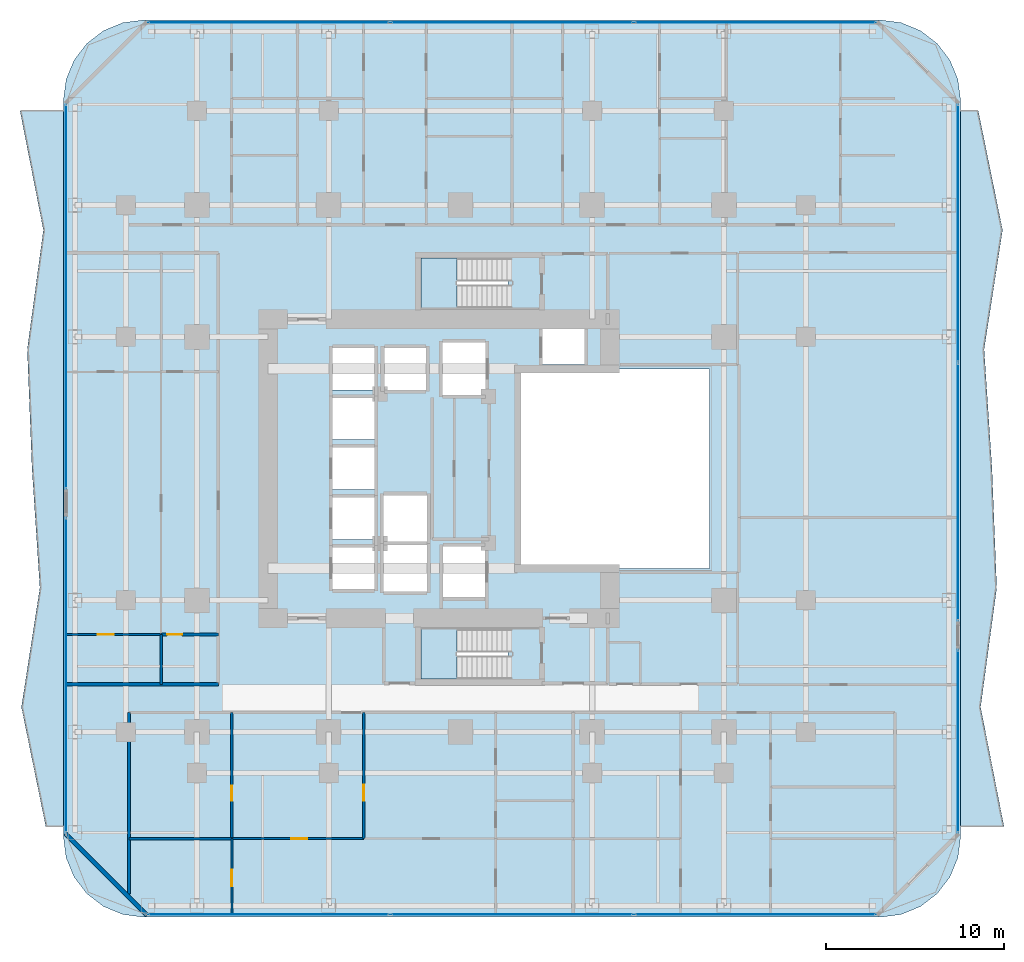
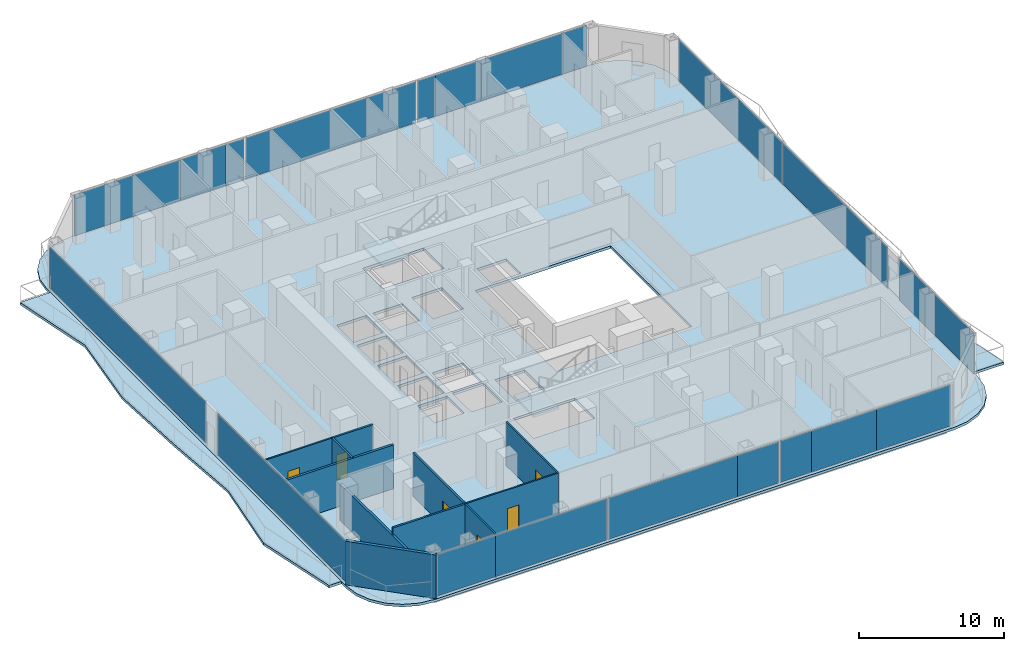
# One storey, part 19 of 27: 20 plates, 11 walls, 6 doors, 5 slabs, 6 openings, 8 elements without a shape of their own.
"""IFC4 building model written with IfcOpenShell, lengths in metres."""

from ifc_helpers import new_model, si_unit, direction, frame, frame_2d, origin, origin_2d, place, context, subcontext, project, spatial, polyline, rectangle, outline, extrude, material, layer, layer_set, type_object, element, fill, aggregate, save


model = new_model("IFC4")

# Units and contexts
model_context = context("Model", 3, precision=1e-05, world=origin(), true_north=direction((0.0, 1.0)))
body_context = subcontext(model_context, "Body", "Model", "MODEL_VIEW")
ifc_project = project(units=[si_unit("LENGTHUNIT", "METRE"), si_unit("AREAUNIT", "SQUARE_METRE"), si_unit("VOLUMEUNIT", "CUBIC_METRE"), si_unit("PLANEANGLEUNIT", "RADIAN"), si_unit("MASSUNIT", "GRAM", prefix="KILO")], contexts=[model_context])

# Site, building, storey
site_placement = place(None, origin())
site = spatial("IfcSite", under=ifc_project, at=site_placement, CompositionType="ELEMENT")
building_placement = place(site_placement, origin())
building = spatial("IfcBuilding", under=site, at=building_placement, Name="Khorvyn Point Tower", CompositionType="ELEMENT")
storey_placement = place(building_placement, frame((0.0, 0.0, 42.300048828125)))
storey = spatial("IfcBuildingStorey", under=building, at=storey_placement, Name="L11", CompositionType="ELEMENT", Elevation=42.300048828125)

# Slabs
ifc_material_1 = material(Name="Concrete C35/45", Category="concrete")
ifc_layer_1 = layer(ifc_material_1, 0.219970703125)
ifc_layer_set_1 = layer_set([ifc_layer_1], Name="Concrete C35/45 Structural Floor Slab 220")
slab_type_1 = type_object("IfcSlabType", Name="Concrete C35/45 Structural Floor Slab 220", PredefinedType="FLOOR", material=ifc_layer_set_1)
slab_1_placement = place(storey_placement, frame((0.0, 0.0, -0.219970703125)))
element("IfcSlab", 1, at=slab_1_placement, inside=storey, type_object=slab_type_1, Name="L11 Main Structural Floor Slab", PredefinedType="FLOOR", context=body_context, shape_type="SweptSolid", body=[
    extrude(outline(polyline([(-17.800048828125, -25.199951171875), (-18.964599609375, -25.046630859375), (-20.050048828125, -24.59716796875), (-20.98193359375, -23.882080078125), (-21.697021484375, -22.949951171875), (-22.146728515625, -21.86474609375), (-22.300048828125, -20.699951171875), (-22.300048828125, 20.699951171875), (-22.146728515625, 21.86474609375), (-21.697021484375, 22.949951171875), (-20.98193359375, 23.882080078125), (-20.050048828125, 24.59716796875), (-18.964599609375, 25.046630859375), (-17.800048828125, 25.199951171875), (23.60009765625, 25.199951171875), (24.7646484375, 25.046630859375), (25.85009765625, 24.59716796875), (26.781982421875, 23.882080078125), (27.4970703125, 22.949951171875), (27.94677734375, 21.86474609375), (28.10009765625, 20.699951171875), (28.10009765625, -20.699951171875), (27.94677734375, -21.86474609375), (27.4970703125, -22.949951171875), (26.781982421875, -23.882080078125), (25.85009765625, -24.59716796875), (24.7646484375, -25.046630859375), (23.60009765625, -25.199951171875), (-17.800048828125, -25.199951171875)]), holes=[polyline([(-4.824951171875, -6.77490234375), (-4.824951171875, -4.425048828125), (-7.175048828125, -4.425048828125), (-7.175048828125, -6.77490234375), (-4.824951171875, -6.77490234375)]), polyline([(-4.324951171875, -6.89990234375), (-1.875, -6.89990234375), (-1.875, -4.300048828125), (-4.324951171875, -4.300048828125), (-4.324951171875, -6.89990234375)]), polyline([(-7.175048828125, -3.97509765625), (-4.824951171875, -3.97509765625), (-4.824951171875, -1.625), (-7.175048828125, -1.625), (-7.175048828125, -3.97509765625)]), polyline([(-7.175048828125, -1.175048828125), (-4.824951171875, -1.175048828125), (-4.824951171875, 1.175048828125), (-7.175048828125, 1.175048828125), (-7.175048828125, -1.175048828125)]), polyline([(-7.175048828125, 1.625), (-4.824951171875, 1.625), (-4.824951171875, 3.97509765625), (-7.175048828125, 3.97509765625), (-7.175048828125, 1.625)]), polyline([(-7.175048828125, 4.425048828125), (-4.824951171875, 4.425048828125), (-4.824951171875, 6.77490234375), (-7.175048828125, 6.77490234375), (-7.175048828125, 4.425048828125)]), polyline([(-4.27490234375, 4.425048828125), (-1.925048828125, 4.425048828125), (-1.925048828125, 6.77490234375), (-4.27490234375, 6.77490234375), (-4.27490234375, 4.425048828125)]), polyline([(2.679931640625, -11.820068359375), (2.679931640625, -9.02001953125), (-2.199951171875, -9.02001953125), (-2.199951171875, -11.820068359375), (2.679931640625, -11.820068359375)]), polyline([(-0.97509765625, -7.22509765625), (1.375, -7.22509765625), (1.375, -4.375), (-0.97509765625, -4.375), (-0.97509765625, -7.22509765625)]), polyline([(-4.324951171875, -4.10009765625), (-1.875, -4.10009765625), (-1.875, -1.5), (-4.324951171875, -1.5), (-4.324951171875, -4.10009765625)]), polyline([(3.199951171875, -5.60009765625), (14.0, -5.60009765625), (14.0, 5.60009765625), (3.199951171875, 5.60009765625), (3.199951171875, -5.60009765625)]), polyline([(-1.0, 4.125), (1.39990234375, 4.125), (1.39990234375, 7.074951171875), (-1.0, 7.074951171875), (-1.0, 4.125)]), polyline([(4.625, 5.85009765625), (6.97509765625, 5.85009765625), (6.97509765625, 7.830078125), (4.625, 7.830078125), (4.625, 5.85009765625)]), polyline([(-2.199951171875, 9.02001953125), (2.679931640625, 9.02001953125), (2.679931640625, 11.820068359375), (-2.199951171875, 11.820068359375), (-2.199951171875, 9.02001953125)])]), origin(), (0.0, 0.0, 1.0), 0.219970703125),
])
ifc_material_2 = material(Name="Concrete C40/50", Category="concrete")
ifc_layer_2 = layer(ifc_material_2, 0.2099609375)
ifc_layer_set_2 = layer_set([ifc_layer_2], Name="Concrete C40/50 Rippling Balcony Slab 210")
slab_type_2 = type_object("IfcSlabType", Name="Concrete C40/50 Rippling Balcony Slab 210", PredefinedType="USERDEFINED", material=ifc_layer_set_2)
slab_2_placement = place(storey_placement, frame((0.0, 0.0, -0.2099609375)))
element("IfcSlab", 2, at=slab_2_placement, inside=storey, type_object=slab_type_2, Name="L11 East Sinusoidal Rippling Balcony", ObjectType="BALCONY", PredefinedType="USERDEFINED", context=body_context, shape_type="SweptSolid", body=[
    extrude(outline(polyline([(28.10009765625, -20.10009765625), (30.53857421875, -20.10009765625), (29.225341796875, -13.39990234375), (30.129638671875, -6.699951171875), (29.864990234375, 0.0), (29.422607421875, 6.699951171875), (30.458984375, 13.39990234375), (29.0927734375, 20.10009765625), (28.10009765625, 20.10009765625), (28.10009765625, -20.10009765625)])), origin(), (0.0, 0.0, 1.0), 0.2099609375),
])
slab_3_placement = place(storey_placement, frame((0.0, 0.0, -0.2099609375)))
element("IfcSlab", 3, at=slab_3_placement, inside=storey, type_object=slab_type_2, Name="L11 West Sinusoidal Rippling Balcony", ObjectType="BALCONY", PredefinedType="USERDEFINED", context=body_context, shape_type="SweptSolid", body=[
    extrude(outline(polyline([(-22.300048828125, 20.10009765625), (-24.738525390625, 20.10009765625), (-23.42529296875, 13.39990234375), (-24.32958984375, 6.699951171875), (-24.06494140625, 0.0), (-23.62255859375, -6.699951171875), (-24.6591796875, -13.39990234375), (-23.292724609375, -20.10009765625), (-22.300048828125, -20.10009765625), (-22.300048828125, 20.10009765625)])), origin(), (0.0, 0.0, 1.0), 0.2099609375),
])

# Stair, slab
stair_type = type_object("IfcStairType", Name="Tower Concrete C40/50 Dogleg Exit Stair", PredefinedType="HALF_TURN_STAIR", material=ifc_material_2)
stair_1_placement = place(storey_placement, origin())
stair_1 = element("IfcStair", 4, at=stair_1_placement, inside=storey, type_object=stair_type, Name="L11 Tower Smokeproof Exit Stair South", PredefinedType="HALF_TURN_STAIR")
ifc_layer_3 = layer(ifc_material_2, 0.199951171875)
ifc_layer_set_3 = layer_set([ifc_layer_3], Name="Concrete C40/50 Stair Landing Slab 200")
slab_type_3 = type_object("IfcSlabType", Name="Concrete C40/50 Stair Landing Slab 200", PredefinedType="LANDING", material=ifc_layer_set_3)
slab_4_placement = place(storey_placement, frame((0.0, 0.0, 1.75)))
slab_4 = element("IfcSlab", 5, at=slab_4_placement, type_object=slab_type_3, Name="ST-01 landing 1", PredefinedType="LANDING", context=body_context, shape_type="SweptSolid", body=[
    extrude(outline(polyline([(-0.179931640625, -9.02001953125), (-2.199951171875, -9.02001953125), (-2.199951171875, -11.820068359375), (-0.179931640625, -11.820068359375), (-0.179931640625, -9.02001953125)])), origin(), (0.0, 0.0, 1.0), 0.199951171875),
])
aggregate(stair_1, [slab_4])

stair_2_placement = place(storey_placement, origin())
stair_2 = element("IfcStair", 6, at=stair_2_placement, inside=storey, type_object=stair_type, Name="L11 Tower Smokeproof Exit Stair North", PredefinedType="HALF_TURN_STAIR")
slab_5_placement = place(storey_placement, frame((0.0, 0.0, 1.75)))
slab_5 = element("IfcSlab", 7, at=slab_5_placement, type_object=slab_type_3, Name="ST-02 landing 1", PredefinedType="LANDING", context=body_context, shape_type="SweptSolid", body=[
    extrude(outline(polyline([(-0.179931640625, 11.820068359375), (-2.199951171875, 11.820068359375), (-2.199951171875, 9.02001953125), (-0.179931640625, 9.02001953125), (-0.179931640625, 11.820068359375)])), origin(), (0.0, 0.0, 1.0), 0.199951171875),
])
aggregate(stair_2, [slab_5])

# Curtain wall, plates
ifc_material_3 = material(Name="Anodised aluminium 6063-T6 and laminated Low-E glass", Category="aluminium")
ifc_layer_4 = layer(ifc_material_3, 0.18994140625)
ifc_layer_set_4 = layer_set([ifc_layer_4], Name="Stick-Built Finned Residential Curtain Wall CW-SYS-02")
curtain_wall_type = type_object("IfcCurtainWallType", Name="Stick-Built Finned Residential Curtain Wall CW-SYS-02", PredefinedType="NOTDEFINED", material=ifc_layer_set_4)
curtain_wall_1_placement = place(storey_placement, origin())
curtain_wall_1 = element("IfcCurtainWall", 8, at=curtain_wall_1_placement, inside=storey, type_object=curtain_wall_type, Name="Curtain Wall", PredefinedType="NOTDEFINED")
ifc_material_4 = material(Name="Laminated Low-E insulated glass", Category="glass")
ifc_layer_5 = layer(ifc_material_4, 0.028076171875)
ifc_layer_set_5 = layer_set([ifc_layer_5], Name="Tempered Low-E Vision Glazing Panel CW-GL28")
plate_type = type_object("IfcPlateType", Name="Tempered Low-E Vision Glazing Panel CW-GL28", PredefinedType="CURTAIN_PANEL", material=ifc_layer_set_5)
plate_1_placement = place(storey_placement, frame((11.0576171875, -25.050048828125, 0.099853515625), z_axis=(0.0, 0.0, 1.0), x_axis=(-1.0, 0.0, 0.0)))
plate_1 = element("IfcPlate", 9, at=plate_1_placement, type_object=plate_type, Name="Panel", PredefinedType="CURTAIN_PANEL", context=body_context, shape_type="SweptSolid", body=[
    extrude(rectangle(XDim=2.507080078125, YDim=0.028076171875, at=origin_2d()), origin(), (0.0, 0.0, 1.0), 3.47998046875),
])
plate_2_placement = place(storey_placement, frame((14.901611328125, -25.050048828125, 0.099853515625), z_axis=(0.0, 0.0, 1.0), x_axis=(-1.0, 0.0, 0.0)))
plate_2 = element("IfcPlate", 10, at=plate_2_placement, type_object=plate_type, Name="Panel", PredefinedType="CURTAIN_PANEL", context=body_context, shape_type="SweptSolid", body=[
    extrude(rectangle(XDim=5.1650390625, YDim=0.028076171875, at=origin_2d()), origin(), (0.0, 0.0, 1.0), 3.47998046875),
])
plate_3_placement = place(storey_placement, frame((20.4189453125, -25.050048828125, 0.099853515625), z_axis=(0.0, 0.0, 1.0), x_axis=(-1.0, 0.0, 0.0)))
plate_3 = element("IfcPlate", 11, at=plate_3_placement, type_object=plate_type, Name="Panel", PredefinedType="CURTAIN_PANEL", context=body_context, shape_type="SweptSolid", body=[
    extrude(rectangle(XDim=5.85400390625, YDim=0.028076171875, at=origin_2d()), origin(), (0.0, 0.0, 1.0), 3.47998046875),
])
plate_4_placement = place(storey_placement, frame((1.25146484375, -25.050048828125, 0.099853515625), z_axis=(0.0, 0.0, 1.0), x_axis=(-1.0, 0.0, 0.0)))
plate_4 = element("IfcPlate", 12, at=plate_4_placement, type_object=plate_type, Name="Panel", PredefinedType="CURTAIN_PANEL", context=body_context, shape_type="SweptSolid", body=[
    extrude(rectangle(XDim=10.294921875, YDim=0.028076171875, at=origin_2d()), origin(), (0.0, 0.0, 1.0), 3.47998046875),
])
plate_5_placement = place(storey_placement, frame((8.051513671875, -25.050048828125, 0.099853515625), z_axis=(0.0, 0.0, 1.0), x_axis=(-1.0, 0.0, 0.0)))
plate_5 = element("IfcPlate", 13, at=plate_5_placement, type_object=plate_type, Name="Panel", PredefinedType="CURTAIN_PANEL", context=body_context, shape_type="SweptSolid", body=[
    extrude(rectangle(XDim=3.2890625, YDim=0.028076171875, at=origin_2d()), origin(), (0.0, 0.0, 1.0), 3.47998046875),
])
plate_6_placement = place(storey_placement, frame((-15.223388671875, -25.050048828125, 0.099853515625), z_axis=(0.0, 0.0, 1.0), x_axis=(-1.0, 0.0, 0.0)))
plate_6 = element("IfcPlate", 14, at=plate_6_placement, type_object=plate_type, Name="Panel", PredefinedType="CURTAIN_PANEL", context=body_context, shape_type="SweptSolid", body=[
    extrude(rectangle(XDim=4.64501953125, YDim=0.028076171875, at=origin_2d()), origin(), (0.0, 0.0, 1.0), 3.47998046875),
])
plate_7_placement = place(storey_placement, frame((-8.448486328125, -25.050048828125, 0.099853515625), z_axis=(0.0, 0.0, 1.0), x_axis=(-1.0, 0.0, 0.0)))
plate_7 = element("IfcPlate", 15, at=plate_7_placement, type_object=plate_type, Name="Panel", PredefinedType="CURTAIN_PANEL", context=body_context, shape_type="SweptSolid", body=[
    extrude(rectangle(XDim=8.888916015625, YDim=0.028076171875, at=origin_2d()), origin(), (0.0, 0.0, 1.0), 3.47998046875),
])
aggregate(curtain_wall_1, [plate_1, plate_2, plate_3, plate_4, plate_5, plate_6, plate_7])

curtain_wall_2_placement = place(storey_placement, origin())
curtain_wall_2 = element("IfcCurtainWall", 16, at=curtain_wall_2_placement, inside=storey, type_object=curtain_wall_type, Name="Curtain Wall", PredefinedType="NOTDEFINED")
plate_8_placement = place(storey_placement, frame((-13.320556640625, 25.050048828125, 0.099853515625), z_axis=(0.0, 0.0, 1.0), x_axis=(1.0, 0.0, 0.0)))
plate_8 = element("IfcPlate", 17, at=plate_8_placement, type_object=plate_type, Name="Panel", PredefinedType="CURTAIN_PANEL", context=body_context, shape_type="SweptSolid", body=[
    extrude(rectangle(XDim=8.450927734375, YDim=0.028076171875, at=origin_2d()), origin(), (0.0, 0.0, 1.0), 3.47998046875),
])
plate_9_placement = place(storey_placement, frame((-7.29248046875, 25.050048828125, 0.099853515625), z_axis=(0.0, 0.0, 1.0), x_axis=(1.0, 0.0, 0.0)))
plate_9 = element("IfcPlate", 18, at=plate_9_placement, type_object=plate_type, Name="Panel", PredefinedType="CURTAIN_PANEL", context=body_context, shape_type="SweptSolid", body=[
    extrude(rectangle(XDim=3.589111328125, YDim=0.028076171875, at=origin_2d()), origin(), (0.0, 0.0, 1.0), 3.47998046875),
])
plate_10_placement = place(storey_placement, frame((-4.7470703125, 25.050048828125, 0.099853515625), z_axis=(0.0, 0.0, 1.0), x_axis=(1.0, 0.0, 0.0)))
plate_10 = element("IfcPlate", 19, at=plate_10_placement, type_object=plate_type, Name="Panel", PredefinedType="CURTAIN_PANEL", context=body_context, shape_type="SweptSolid", body=[
    extrude(rectangle(XDim=1.486083984375, YDim=0.028076171875, at=origin_2d()), origin(), (0.0, 0.0, 1.0), 3.47998046875),
])
plate_11_placement = place(storey_placement, frame((2.89990234375, 25.050048828125, 0.099853515625), z_axis=(0.0, 0.0, 1.0), x_axis=(1.0, 0.0, 0.0)))
plate_11 = element("IfcPlate", 20, at=plate_11_placement, type_object=plate_type, Name="Panel", PredefinedType="CURTAIN_PANEL", context=body_context, shape_type="SweptSolid", body=[
    extrude(rectangle(XDim=13.60009765625, YDim=0.028076171875, at=origin_2d()), origin(), (0.0, 0.0, 1.0), 3.47998046875),
])
plate_12_placement = place(storey_placement, frame((10.525390625, 25.050048828125, 0.099853515625), z_axis=(0.0, 0.0, 1.0), x_axis=(1.0, 0.0, 0.0)))
plate_12 = element("IfcPlate", 21, at=plate_12_placement, type_object=plate_type, Name="Panel", PredefinedType="CURTAIN_PANEL", context=body_context, shape_type="SweptSolid", body=[
    extrude(rectangle(XDim=1.443115234375, YDim=0.028076171875, at=origin_2d()), origin(), (0.0, 0.0, 1.0), 3.47998046875),
])
plate_13_placement = place(storey_placement, frame((13.071044921875, 25.050048828125, 0.099853515625), z_axis=(0.0, 0.0, 1.0), x_axis=(1.0, 0.0, 0.0)))
plate_13 = element("IfcPlate", 22, at=plate_13_placement, type_object=plate_type, Name="Panel", PredefinedType="CURTAIN_PANEL", context=body_context, shape_type="SweptSolid", body=[
    extrude(rectangle(XDim=3.632080078125, YDim=0.028076171875, at=origin_2d()), origin(), (0.0, 0.0, 1.0), 3.47998046875),
])
plate_14_placement = place(storey_placement, frame((18.151611328125, 25.050048828125, 0.099853515625), z_axis=(0.0, 0.0, 1.0), x_axis=(1.0, 0.0, 0.0)))
plate_14 = element("IfcPlate", 23, at=plate_14_placement, type_object=plate_type, Name="Panel", PredefinedType="CURTAIN_PANEL", context=body_context, shape_type="SweptSolid", body=[
    extrude(rectangle(XDim=6.512939453125, YDim=0.028076171875, at=origin_2d()), origin(), (0.0, 0.0, 1.0), 3.47998046875),
])
plate_15_placement = place(storey_placement, frame((22.381103515625, 25.050048828125, 0.099853515625), z_axis=(0.0, 0.0, 1.0), x_axis=(1.0, 0.0, 0.0)))
plate_15 = element("IfcPlate", 24, at=plate_15_placement, type_object=plate_type, Name="Panel", PredefinedType="CURTAIN_PANEL", context=body_context, shape_type="SweptSolid", body=[
    extrude(rectangle(XDim=1.929931640625, YDim=0.028076171875, at=origin_2d()), origin(), (0.0, 0.0, 1.0), 3.47998046875),
])
aggregate(curtain_wall_2, [plate_8, plate_9, plate_10, plate_11, plate_12, plate_13, plate_14, plate_15])

# Curtain wall, plate
curtain_wall_3_placement = place(storey_placement, origin())
curtain_wall_3 = element("IfcCurtainWall", 25, at=curtain_wall_3_placement, inside=storey, type_object=curtain_wall_type, Name="Curtain Wall", PredefinedType="NOTDEFINED")
plate_16_placement = place(storey_placement, frame((-22.14990234375, -11.60595703125, 0.099853515625), z_axis=(0.0, 0.0, 1.0), x_axis=(0.0, 1.0, 0.0)))
plate_16 = element("IfcPlate", 26, at=plate_16_placement, type_object=plate_type, Name="Panel", PredefinedType="CURTAIN_PANEL", context=body_context, shape_type="SweptSolid", body=[
    extrude(rectangle(XDim=17.68798828125, YDim=0.028076171875, at=origin_2d()), origin(), (0.0, 0.0, 1.0), 3.47998046875),
])
aggregate(curtain_wall_3, [plate_16])

curtain_wall_4_placement = place(storey_placement, origin())
curtain_wall_4 = element("IfcCurtainWall", 27, at=curtain_wall_4_placement, inside=storey, type_object=curtain_wall_type, Name="Curtain Wall", PredefinedType="NOTDEFINED")
plate_17_placement = place(storey_placement, frame((-22.14990234375, 9.6640625, 0.099853515625), z_axis=(0.0, 0.0, 1.0), x_axis=(0.0, 1.0, 0.0)))
plate_17 = element("IfcPlate", 28, at=plate_17_placement, type_object=plate_type, Name="Panel", PredefinedType="CURTAIN_PANEL", context=body_context, shape_type="SweptSolid", body=[
    extrude(rectangle(XDim=21.572021484375, YDim=0.028076171875, at=origin_2d()), origin(), (0.0, 0.0, 1.0), 3.47998046875),
])
aggregate(curtain_wall_4, [plate_17])

# Curtain wall, plates
curtain_wall_5_placement = place(storey_placement, origin())
curtain_wall_5 = element("IfcCurtainWall", 29, at=curtain_wall_5_placement, inside=storey, type_object=curtain_wall_type, Name="Curtain Wall", PredefinedType="NOTDEFINED")
plate_18_placement = place(storey_placement, frame((27.949951171875, 13.225830078125, 0.099853515625), z_axis=(0.0, 0.0, 1.0), x_axis=(0.0, -1.0, 0.0)))
plate_18 = element("IfcPlate", 30, at=plate_18_placement, type_object=plate_type, Name="Panel", PredefinedType="CURTAIN_PANEL", context=body_context, shape_type="SweptSolid", body=[
    extrude(rectangle(XDim=14.448486328125, YDim=0.028076171875, at=origin_2d()), origin(), (0.0, 0.0, 1.0), 3.47998046875),
])
plate_19_placement = place(storey_placement, frame((27.949951171875, -1.32275390625, 0.099853515625), z_axis=(0.0, 0.0, 1.0), x_axis=(0.0, -1.0, 0.0)))
plate_19 = element("IfcPlate", 31, at=plate_19_placement, type_object=plate_type, Name="Panel", PredefinedType="CURTAIN_PANEL", context=body_context, shape_type="SweptSolid", body=[
    extrude(rectangle(XDim=14.448486328125, YDim=0.028076171875, at=origin_2d()), origin(), (0.0, 0.0, 1.0), 3.47998046875),
])
aggregate(curtain_wall_5, [plate_18, plate_19])

# Curtain wall, plate
curtain_wall_6_placement = place(storey_placement, origin())
curtain_wall_6 = element("IfcCurtainWall", 32, at=curtain_wall_6_placement, inside=storey, type_object=curtain_wall_type, Name="Curtain Wall", PredefinedType="NOTDEFINED")
plate_20_placement = place(storey_placement, frame((27.949951171875, -15.318603515625, 0.099853515625), z_axis=(0.0, 0.0, 1.0), x_axis=(0.0, -1.0, 0.0)))
plate_20 = element("IfcPlate", 33, at=plate_20_placement, type_object=plate_type, Name="Panel", PredefinedType="CURTAIN_PANEL", context=body_context, shape_type="SweptSolid", body=[
    extrude(rectangle(XDim=10.262939453125, YDim=0.028076171875, at=origin_2d()), origin(), (0.0, 0.0, 1.0), 3.47998046875),
])
aggregate(curtain_wall_6, [plate_20])

# Walls
ifc_material_5 = material(Name="Double acoustic gypsum on twin steel stud", Category="steel")
ifc_layer_6 = layer(ifc_material_5, 0.179931640625)
ifc_layer_set_6 = layer_set([ifc_layer_6], Name="Acoustic Double-Stud Apartment Demising Wall 180")
wall_type_1 = type_object("IfcWallType", Name="Acoustic Double-Stud Apartment Demising Wall 180", PredefinedType="PARTITIONING", material=ifc_layer_set_6)
wall_1_placement = place(storey_placement, frame((-18.6201171875, -23.909912109375, 0.0), z_axis=(0.0, 0.0, 1.0), x_axis=(0.0, 1.0, 0.0)))
element("IfcWall", 34, at=wall_1_placement, inside=storey, type_object=wall_type_1, Name="Wall", PredefinedType="PARTITIONING", context=body_context, shape_type="SweptSolid", body=[
    extrude(rectangle(XDim=10.2099609375, YDim=0.179931640625, at=frame_2d((5.10498046875, 0.0))), origin(), (0.0, 0.0, 1.0), 3.08203125),
])
wall_2_placement = place(storey_placement, frame((-22.1298828125, -12.1201171875, 0.0), z_axis=(0.0, 0.0, 1.0), x_axis=(1.0, 0.0, 0.0)))
element("IfcWall", 35, at=wall_2_placement, inside=storey, type_object=wall_type_1, Name="Wall", PredefinedType="PARTITIONING", context=body_context, shape_type="SweptSolid", body=[
    extrude(rectangle(XDim=8.52978515625, YDim=0.179931640625, at=frame_2d((4.264892578125, 0.0))), origin(), (0.0, 0.0, 1.0), 3.679931640625),
])
ifc_material_6 = material(Name="Pale anodised aluminium rainscreen on steel stud", Category="steel")
ifc_layer_7 = layer(ifc_material_6, 0.239990234375)
ifc_layer_set_7 = layer_set([ifc_layer_7], Name="Anodised Aluminium Insulated Corner Spandrel Wall 240")
wall_type_2 = type_object("IfcWallType", Name="Anodised Aluminium Insulated Corner Spandrel Wall 240", PredefinedType="SOLIDWALL", material=ifc_layer_set_7)
wall_3_placement = place(storey_placement, frame((-17.607666015625, -25.09228515625, 0.0), z_axis=(0.0, 0.0, 1.0), x_axis=(-0.707106781187, 0.707106781187, 0.0)))
element("IfcWall", 36, at=wall_3_placement, inside=storey, type_object=wall_type_2, Name="L11 Rounded Corner Wall SW", PredefinedType="SOLIDWALL", context=body_context, shape_type="SweptSolid", body=[
    extrude(rectangle(XDim=6.48388671875, YDim=0.239990234375, at=frame_2d((3.241943359375, 0.0))), origin(), (0.0, 0.0, 1.0), 3.679931640625),
])

# Wall, opening, door
ifc_material_7 = material(Name="Gypsum plasterboard on steel stud", Category="steel")
ifc_layer_8 = layer(ifc_material_7, 0.1201171875)
ifc_layer_set_8 = layer_set([ifc_layer_8], Name="Gypsum Acoustic Stud Room Partition Wall 120")
wall_type_3 = type_object("IfcWallType", Name="Gypsum Acoustic Stud Room Partition Wall 120", PredefinedType="PARTITIONING", material=ifc_layer_set_8)
wall_4_placement = place(storey_placement, frame((-12.8369140625, -20.7900390625, 0.0), z_axis=(0.0, 0.0, 1.0), x_axis=(1.0, 0.0, 0.0)))
wall_4 = element("IfcWall", 37, at=wall_4_placement, inside=storey, type_object=wall_type_3, Name="Wall", PredefinedType="PARTITIONING", context=body_context, shape_type="SweptSolid", body=[
    extrude(rectangle(XDim=7.411865234375, YDim=0.1201171875, at=frame_2d((3.7060546875, 0.0))), origin(), (0.0, 0.0, 1.0), 3.679931640625),
])
opening_1_placement = place(wall_4_placement, frame((3.344482421875, 0.0, 0.0)))
opening_1 = element("IfcOpeningElement", 38, at=opening_1_placement, cuts=wall_4, Name="Opening ID-RM90", PredefinedType="OPENING", context=body_context, shape_type="SweptSolid", body=[
    extrude(rectangle(XDim=0.89990234375, YDim=2.10009765625, at=frame_2d((0.449951171875, 1.050048828125))), frame((0.0, 0.070068359375, 0.0), z_axis=(0.0, -1.0, 0.0), x_axis=(1.0, 0.0, 0.0)), (0.0, 0.0, 1.0), 0.14013671875),
])
ifc_material_8 = material(Name="Engineered oak veneer timber", Category="wood")
door_type_1 = type_object("IfcDoorType", Name="Flush Engineered Timber Room Door 900x2100", OperationType="NOTDEFINED", PredefinedType="DOOR", material=ifc_material_8)
door_1_placement = place(opening_1_placement, origin())
door_1 = element("IfcDoor", 39, at=door_1_placement, inside=storey, type_object=door_type_1, Name="Door", OperationType="SINGLE_SWING_RIGHT", OverallHeight=2.10009765625, OverallWidth=0.89990234375, PredefinedType="DOOR", context=body_context, shape_type="SweptSolid", body=[
    extrude(rectangle(XDim=0.89990234375, YDim=2.10009765625, at=frame_2d((0.449951171875, 1.050048828125))), frame((0.0, 0.02490234375, 0.0), z_axis=(0.0, -1.0, 0.0), x_axis=(1.0, 0.0, 0.0)), (0.0, 0.0, 1.0), 0.050048828125),
])
fill(opening_1, door_1)

wall_5_placement = place(storey_placement, frame((-5.425048828125, -20.7900390625, 0.0), z_axis=(0.0, 0.0, 1.0), x_axis=(0.0, 1.0, 0.0)))
wall_5 = element("IfcWall", 40, at=wall_5_placement, inside=storey, type_object=wall_type_3, Name="Wall", PredefinedType="PARTITIONING", context=body_context, shape_type="SweptSolid", body=[
    extrude(rectangle(XDim=7.090087890625, YDim=0.1201171875, at=frame_2d((3.544921875, 0.0))), origin(), (0.0, 0.0, 1.0), 3.679931640625),
])
opening_2_placement = place(wall_5_placement, frame((2.11669921875, 0.0, 0.0)))
opening_2 = element("IfcOpeningElement", 41, at=opening_2_placement, cuts=wall_5, Name="Opening ID-RM90", PredefinedType="OPENING", context=body_context, shape_type="SweptSolid", body=[
    extrude(rectangle(XDim=0.89990234375, YDim=2.10009765625, at=frame_2d((0.449951171875, 1.050048828125))), frame((0.0, 0.070068359375, 0.0), z_axis=(0.0, -1.0, 0.0), x_axis=(1.0, 0.0, 0.0)), (0.0, 0.0, 1.0), 0.14013671875),
])
door_2_placement = place(opening_2_placement, origin())
door_2 = element("IfcDoor", 42, at=door_2_placement, inside=storey, type_object=door_type_1, Name="Door", OperationType="SINGLE_SWING_RIGHT", OverallHeight=2.10009765625, OverallWidth=0.89990234375, PredefinedType="DOOR", context=body_context, shape_type="SweptSolid", body=[
    extrude(rectangle(XDim=0.89990234375, YDim=2.10009765625, at=frame_2d((0.449951171875, 1.050048828125))), frame((0.0, 0.02490234375, 0.0), z_axis=(0.0, -1.0, 0.0), x_axis=(1.0, 0.0, 0.0)), (0.0, 0.0, 1.0), 0.050048828125),
])
fill(opening_2, door_2)

wall_6_placement = place(storey_placement, frame((-12.8369140625, -25.030029296875, 0.0), z_axis=(0.0, 0.0, 1.0), x_axis=(0.0, 1.0, 0.0)))
wall_6 = element("IfcWall", 43, at=wall_6_placement, inside=storey, type_object=wall_type_3, Name="Wall", PredefinedType="PARTITIONING", context=body_context, shape_type="SweptSolid", body=[
    extrude(rectangle(XDim=4.239990234375, YDim=0.1201171875, at=frame_2d((2.1201171875, 0.0))), origin(), (0.0, 0.0, 1.0), 3.679931640625),
])
opening_3_placement = place(wall_6_placement, frame((1.581298828125, 0.0, 0.0)))
opening_3 = element("IfcOpeningElement", 44, at=opening_3_placement, cuts=wall_6, Name="Opening ID-RM90", PredefinedType="OPENING", context=body_context, shape_type="SweptSolid", body=[
    extrude(rectangle(XDim=0.89990234375, YDim=2.10009765625, at=frame_2d((0.449951171875, 1.050048828125))), frame((0.0, 0.070068359375, 0.0), z_axis=(0.0, -1.0, 0.0), x_axis=(1.0, 0.0, 0.0)), (0.0, 0.0, 1.0), 0.14013671875),
])
door_3_placement = place(opening_3_placement, origin())
door_3 = element("IfcDoor", 45, at=door_3_placement, inside=storey, type_object=door_type_1, Name="Door", OperationType="SINGLE_SWING_RIGHT", OverallHeight=2.10009765625, OverallWidth=0.89990234375, PredefinedType="DOOR", context=body_context, shape_type="SweptSolid", body=[
    extrude(rectangle(XDim=0.89990234375, YDim=2.10009765625, at=frame_2d((0.449951171875, 1.050048828125))), frame((0.0, 0.02490234375, 0.0), z_axis=(0.0, -1.0, 0.0), x_axis=(1.0, 0.0, 0.0)), (0.0, 0.0, 1.0), 0.050048828125),
])
fill(opening_3, door_3)

wall_7_placement = place(storey_placement, frame((-22.1298828125, -9.320068359375, 0.0), z_axis=(0.0, 0.0, 1.0), x_axis=(1.0, 0.0, 0.0)))
wall_7 = element("IfcWall", 46, at=wall_7_placement, inside=storey, type_object=wall_type_3, Name="Wall", PredefinedType="PARTITIONING", context=body_context, shape_type="SweptSolid", body=[
    extrude(rectangle(XDim=5.32177734375, YDim=0.1201171875, at=frame_2d((2.660888671875, 0.0))), origin(), (0.0, 0.0, 1.0), 3.679931640625),
])
opening_4_placement = place(wall_7_placement, frame((1.76513671875, 0.0, 0.0)))
opening_4 = element("IfcOpeningElement", 47, at=opening_4_placement, cuts=wall_7, Name="Opening ID-RM90", PredefinedType="OPENING", context=body_context, shape_type="SweptSolid", body=[
    extrude(rectangle(XDim=0.89990234375, YDim=2.10009765625, at=frame_2d((0.449951171875, 1.050048828125))), frame((0.0, 0.070068359375, 0.0), z_axis=(0.0, -1.0, 0.0), x_axis=(1.0, 0.0, 0.0)), (0.0, 0.0, 1.0), 0.14013671875),
])
door_4_placement = place(opening_4_placement, origin())
door_4 = element("IfcDoor", 48, at=door_4_placement, inside=storey, type_object=door_type_1, Name="Door", OperationType="SINGLE_SWING_RIGHT", OverallHeight=2.10009765625, OverallWidth=0.89990234375, PredefinedType="DOOR", context=body_context, shape_type="SweptSolid", body=[
    extrude(rectangle(XDim=0.89990234375, YDim=2.10009765625, at=frame_2d((0.449951171875, 1.050048828125))), frame((0.0, 0.02490234375, 0.0), z_axis=(0.0, -1.0, 0.0), x_axis=(1.0, 0.0, 0.0)), (0.0, 0.0, 1.0), 0.050048828125),
])
fill(opening_4, door_4)

ifc_material_9 = material(Name="Moisture-resistant gypsum and cement board", Category="gypsum")
ifc_layer_9 = layer(ifc_material_9, 0.14990234375)
ifc_layer_set_9 = layer_set([ifc_layer_9], Name="Moisture-Resistant Wet-Room Partition Wall 150")
wall_type_4 = type_object("IfcWallType", Name="Moisture-Resistant Wet-Room Partition Wall 150", PredefinedType="PARTITIONING", material=ifc_layer_set_9)
wall_8_placement = place(storey_placement, frame((-12.8369140625, -20.7900390625, 0.0), z_axis=(0.0, 0.0, 1.0), x_axis=(0.0, 1.0, 0.0)))
wall_8 = element("IfcWall", 49, at=wall_8_placement, inside=storey, type_object=wall_type_4, Name="Wall", PredefinedType="PARTITIONING", context=body_context, shape_type="SweptSolid", body=[
    extrude(rectangle(XDim=7.090087890625, YDim=0.14990234375, at=frame_2d((3.544921875, 0.0))), origin(), (0.0, 0.0, 1.0), 3.679931640625),
])
opening_5_placement = place(wall_8_placement, frame((2.13330078125, 0.0, 0.0)))
opening_5 = element("IfcOpeningElement", 50, at=opening_5_placement, cuts=wall_8, Name="Opening ID-WC85", PredefinedType="OPENING", context=body_context, shape_type="SweptSolid", body=[
    extrude(rectangle(XDim=0.85009765625, YDim=2.10009765625, at=frame_2d((0.425048828125, 1.050048828125))), frame((0.0, 0.0849609375, 0.0), z_axis=(0.0, -1.0, 0.0), x_axis=(1.0, 0.0, 0.0)), (0.0, 0.0, 1.0), 0.169921875),
])
ifc_material_10 = material(Name="High-pressure laminate on moisture-resistant core", Category="wood")
door_type_2 = type_object("IfcDoorType", Name="Moisture-Resistant Accessible Washroom Door 850x2100", OperationType="NOTDEFINED", PredefinedType="DOOR", material=ifc_material_10)
door_5_placement = place(opening_5_placement, origin())
door_5 = element("IfcDoor", 51, at=door_5_placement, inside=storey, type_object=door_type_2, Name="Door", OperationType="SINGLE_SWING_LEFT", OverallHeight=2.10009765625, OverallWidth=0.85009765625, PredefinedType="DOOR", context=body_context, shape_type="SweptSolid", body=[
    extrude(rectangle(XDim=0.85009765625, YDim=2.10009765625, at=frame_2d((0.425048828125, 1.050048828125))), frame((0.0, 0.02490234375, 0.0), z_axis=(0.0, -1.0, 0.0), x_axis=(1.0, 0.0, 0.0)), (0.0, 0.0, 1.0), 0.050048828125),
])
fill(opening_5, door_5)

wall_9_placement = place(storey_placement, frame((-16.80810546875, -9.320068359375, 0.0), z_axis=(0.0, 0.0, 1.0), x_axis=(1.0, 0.0, 0.0)))
wall_9 = element("IfcWall", 52, at=wall_9_placement, inside=storey, type_object=wall_type_4, Name="Wall", PredefinedType="PARTITIONING", context=body_context, shape_type="SweptSolid", body=[
    extrude(rectangle(XDim=3.2080078125, YDim=0.14990234375, at=frame_2d((1.60400390625, 0.0))), origin(), (0.0, 0.0, 1.0), 3.679931640625),
])
opening_6_placement = place(wall_9_placement, frame((0.329833984375, 0.0, 0.0)))
opening_6 = element("IfcOpeningElement", 53, at=opening_6_placement, cuts=wall_9, Name="Opening ID-WC85", PredefinedType="OPENING", context=body_context, shape_type="SweptSolid", body=[
    extrude(rectangle(XDim=0.85009765625, YDim=2.10009765625, at=frame_2d((0.425048828125, 1.050048828125))), frame((0.0, 0.0849609375, 0.0), z_axis=(0.0, -1.0, 0.0), x_axis=(1.0, 0.0, 0.0)), (0.0, 0.0, 1.0), 0.169921875),
])
door_6_placement = place(opening_6_placement, origin())
door_6 = element("IfcDoor", 54, at=door_6_placement, inside=storey, type_object=door_type_2, Name="Door", OperationType="SINGLE_SWING_LEFT", OverallHeight=2.10009765625, OverallWidth=0.85009765625, PredefinedType="DOOR", context=body_context, shape_type="SweptSolid", body=[
    extrude(rectangle(XDim=0.85009765625, YDim=2.10009765625, at=frame_2d((0.425048828125, 1.050048828125))), frame((0.0, 0.02490234375, 0.0), z_axis=(0.0, -1.0, 0.0), x_axis=(1.0, 0.0, 0.0)), (0.0, 0.0, 1.0), 0.050048828125),
])
fill(opening_6, door_6)

# Walls
wall_10_placement = place(storey_placement, frame((-18.6201171875, -20.7900390625, 0.0), z_axis=(0.0, 0.0, 1.0), x_axis=(1.0, 0.0, 0.0)))
element("IfcWall", 55, at=wall_10_placement, inside=storey, type_object=wall_type_4, Name="Wall", PredefinedType="PARTITIONING", context=body_context, shape_type="SweptSolid", body=[
    extrude(rectangle(XDim=5.783203125, YDim=0.14990234375, at=frame_2d((2.8916015625, 0.0))), origin(), (0.0, 0.0, 1.0), 3.679931640625),
])
wall_11_placement = place(storey_placement, frame((-16.80810546875, -12.1201171875, 0.0), z_axis=(0.0, 0.0, 1.0), x_axis=(0.0, 1.0, 0.0)))
element("IfcWall", 56, at=wall_11_placement, inside=storey, type_object=wall_type_4, Name="Wall", PredefinedType="PARTITIONING", context=body_context, shape_type="SweptSolid", body=[
    extrude(rectangle(XDim=2.800048828125, YDim=0.14990234375, at=frame_2d((1.39990234375, 0.0))), origin(), (0.0, 0.0, 1.0), 3.679931640625),
])

save(model, "model.ifc")
